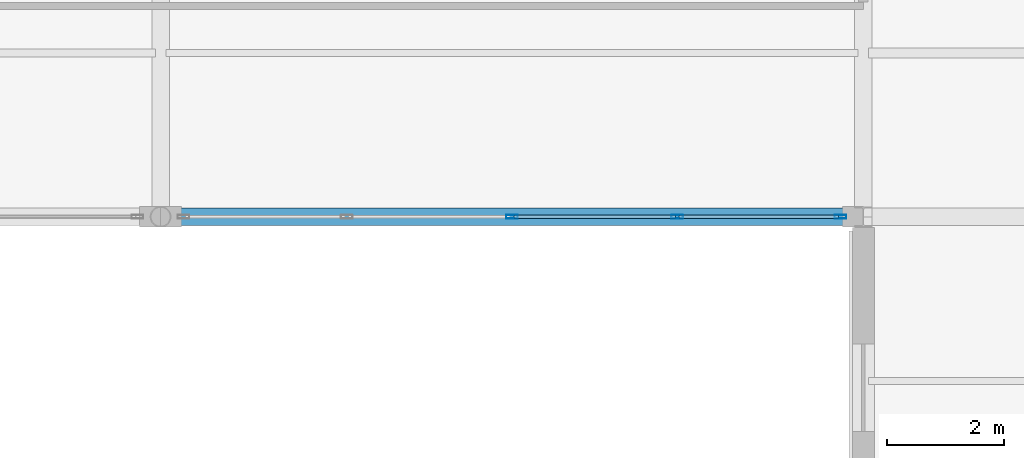
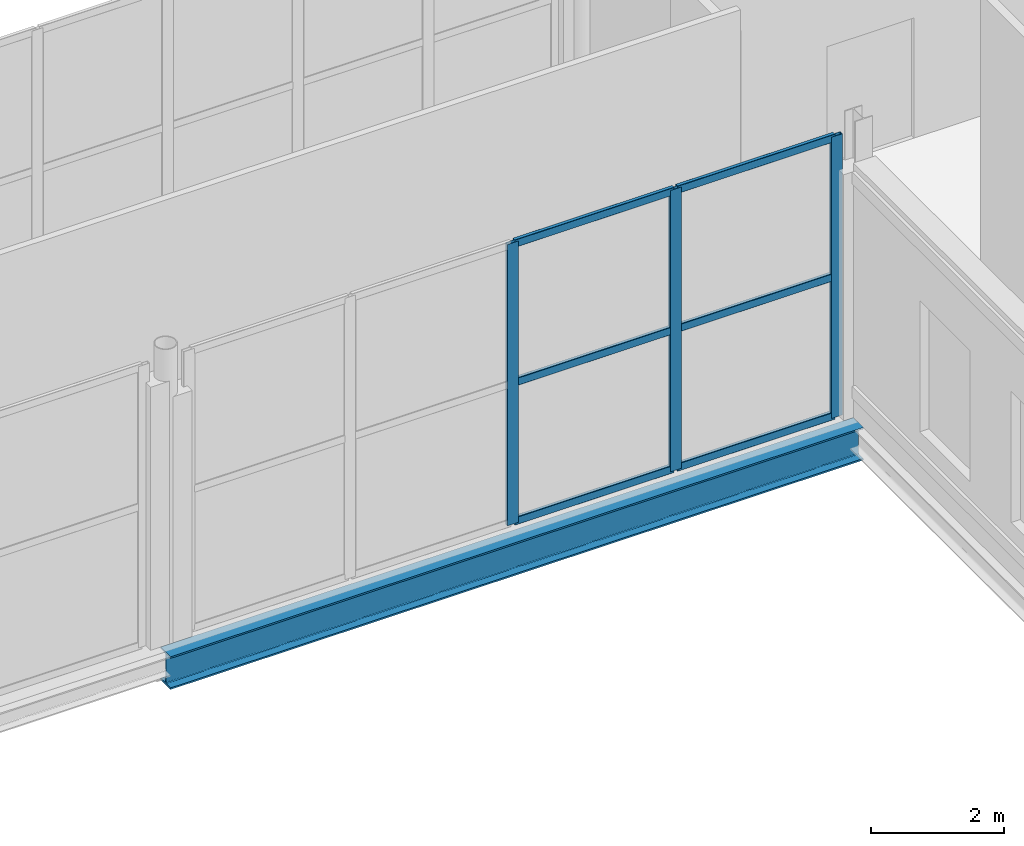
# One storey, part 90 of 147: 9 members, 1 beam, 1 element without a shape of its own.
"""IFC4 building model written with IfcOpenShell, lengths in metres."""

from ifc_helpers import new_model, si_unit, direction, frame, origin, origin_2d, place, context, subcontext, project, spatial, hollow_rectangle, i_section, extrude, material, layer, layer_set, material_profile, profile_set, type_object, element, aggregate, save


model = new_model("IFC4")

# Units and contexts
model_context = context("Model", 3, precision=1e-05, world=origin(), true_north=direction((0.0, 1.0)))
body_context = subcontext(model_context, "Body", "Model", "MODEL_VIEW")
ifc_project = project(units=[si_unit("LENGTHUNIT", "METRE"), si_unit("AREAUNIT", "SQUARE_METRE"), si_unit("VOLUMEUNIT", "CUBIC_METRE"), si_unit("PLANEANGLEUNIT", "RADIAN"), si_unit("MASSUNIT", "GRAM", prefix="KILO")], contexts=[model_context])

# Site, building, storey
site_placement = place(None, origin())
site = spatial("IfcSite", under=ifc_project, at=site_placement, CompositionType="ELEMENT")
building_placement = place(site_placement, origin())
building = spatial("IfcBuilding", under=site, at=building_placement, Name="Vekula Escarpment Museum", CompositionType="ELEMENT")
storey_placement = place(building_placement, frame((0.0, 0.0, 7.800048828125)))
storey = spatial("IfcBuildingStorey", under=building, at=storey_placement, Name="L02", CompositionType="ELEMENT", Elevation=7.800048828125)

# Beam
ifc_material_1 = material(Name="Steel S355", Category="steel")
ifc_material_profile_1 = material_profile(ifc_material_1, i_section(OverallWidth=0.300048828125, OverallDepth=0.60009765625, WebThickness=0.015380859375, FlangeThickness=0.030029296875, FilletRadius=0.027099609375, at=origin_2d()), Name="HEB 600")
ifc_profile_set_1 = profile_set([ifc_material_profile_1], Name="Steel S355")
beam_type = type_object("IfcBeamType", Name="BM-GIRD-HEB600", PredefinedType="BEAM", material=ifc_profile_set_1)
beam_placement = place(storey_placement, frame((155.0, 68.0, -0.56005859375), z_axis=(1.0, 0.0, 0.0), x_axis=(0.0, 1.0, 0.0)))
element("IfcBeam", 1, at=beam_placement, inside=storey, type_object=beam_type, Name="Beam X L02 0904", PredefinedType="BEAM", context=body_context, shape_type="SweptSolid", body=[
    extrude(i_section(OverallWidth=0.300048828125, OverallDepth=0.60009765625, WebThickness=0.015380859375, FlangeThickness=0.030029296875, FilletRadius=0.027099609375, at=origin_2d()), origin(), (0.0, 0.0, 1.0), 12.0),
])

# Curtain wall, members
ifc_material_2 = material(Name="Aluminium thermally broken framing", Category="aluminium")
ifc_layer = layer(ifc_material_2, 0.139892578125)
ifc_layer_set = layer_set([ifc_layer], Name="Aluminium thermally broken framing")
curtain_wall_type = type_object("IfcCurtainWallType", Name="CW-SYS-06", PredefinedType="NOTDEFINED", material=ifc_layer_set)
curtain_wall_placement = place(storey_placement, origin())
curtain_wall = element("IfcCurtainWall", 2, at=curtain_wall_placement, inside=storey, type_object=curtain_wall_type, Name="Curtain Wall CW-L02-066", PredefinedType="NOTDEFINED")
ifc_material_3 = material(Name="Aluminium anodized mullion", Category="aluminium")
ifc_material_profile_2 = material_profile(ifc_material_3, hollow_rectangle(XDim=0.06494140625, YDim=0.199951171875, WallThickness=0.00390625, InnerFilletRadius=0.00390625, OuterFilletRadius=0.008056640625, at=origin_2d()), Name="ALU 200x65x4")
ifc_profile_set_2 = profile_set([ifc_material_profile_2], Name="Aluminium anodized mullion")
member_type_1 = type_object("IfcMemberType", Name="CW-MUL-200", PredefinedType="MULLION", material=ifc_profile_set_2)
member_1_placement = place(storey_placement, frame((161.0, 68.0, 0.0), z_axis=(0.0, 0.0, 1.0), x_axis=(0.0, 1.0, 0.0)))
member_1 = element("IfcMember", 3, at=member_1_placement, type_object=member_type_1, Name="CW-06 mullion 3", PredefinedType="MULLION", context=body_context, shape_type="SweptSolid", body=[
    extrude(hollow_rectangle(XDim=0.06494140625, YDim=0.199951171875, WallThickness=0.00390625, InnerFilletRadius=0.00390625, OuterFilletRadius=0.008056640625, at=origin_2d()), origin(), (0.0, 0.0, 1.0), 5.14990234375),
])
member_2_placement = place(storey_placement, frame((163.820068359375, 68.0, 0.0), z_axis=(0.0, 0.0, 1.0), x_axis=(0.0, 1.0, 0.0)))
member_2 = element("IfcMember", 4, at=member_2_placement, type_object=member_type_1, Name="CW-06 mullion 4", PredefinedType="MULLION", context=body_context, shape_type="SweptSolid", body=[
    extrude(hollow_rectangle(XDim=0.06494140625, YDim=0.199951171875, WallThickness=0.00390625, InnerFilletRadius=0.00390625, OuterFilletRadius=0.008056640625, at=origin_2d()), origin(), (0.0, 0.0, 1.0), 5.14990234375),
])
member_3_placement = place(storey_placement, frame((166.607421875, 68.0, 0.0), z_axis=(0.0, 0.0, 1.0), x_axis=(0.0, 1.0, 0.0)))
member_3 = element("IfcMember", 5, at=member_3_placement, type_object=member_type_1, Name="CW-06 mullion 5", PredefinedType="MULLION", context=body_context, shape_type="SweptSolid", body=[
    extrude(hollow_rectangle(XDim=0.06494140625, YDim=0.199951171875, WallThickness=0.00390625, InnerFilletRadius=0.00390625, OuterFilletRadius=0.008056640625, at=origin_2d()), origin(), (0.0, 0.0, 1.0), 5.14990234375),
])
ifc_material_4 = material(Name="Aluminium anodized transom", Category="aluminium")
ifc_material_profile_3 = material_profile(ifc_material_4, hollow_rectangle(XDim=0.06494140625, YDim=0.139892578125, WallThickness=0.00390625, InnerFilletRadius=0.00390625, OuterFilletRadius=0.008056640625, at=origin_2d()), Name="ALU 140x65x4")
ifc_profile_set_3 = profile_set([ifc_material_profile_3], Name="Aluminium anodized transom")
member_type_2 = type_object("IfcMemberType", Name="CW-TRN-140", PredefinedType="USERDEFINED", material=ifc_profile_set_3)
member_4_placement = place(storey_placement, frame((161.032470703125, 68.0, 0.032470703125), z_axis=(1.0, 0.0, 0.0), x_axis=(0.0, 1.0, 0.0)))
member_4 = element("IfcMember", 6, at=member_4_placement, type_object=member_type_2, Name="CW-06 transom 3.1", ObjectType="TRANSOM", PredefinedType="USERDEFINED", context=body_context, shape_type="SweptSolid", body=[
    extrude(hollow_rectangle(XDim=0.06494140625, YDim=0.139892578125, WallThickness=0.00390625, InnerFilletRadius=0.00390625, OuterFilletRadius=0.008056640625, at=origin_2d()), origin(), (0.0, 0.0, 1.0), 2.755126953125),
])
member_5_placement = place(storey_placement, frame((161.032470703125, 68.0, 2.574951171875), z_axis=(1.0, 0.0, 0.0), x_axis=(0.0, 1.0, 0.0)))
member_5 = element("IfcMember", 7, at=member_5_placement, type_object=member_type_2, Name="CW-06 transom 3.2", ObjectType="TRANSOM", PredefinedType="USERDEFINED", context=body_context, shape_type="SweptSolid", body=[
    extrude(hollow_rectangle(XDim=0.06494140625, YDim=0.139892578125, WallThickness=0.00390625, InnerFilletRadius=0.00390625, OuterFilletRadius=0.008056640625, at=origin_2d()), origin(), (0.0, 0.0, 1.0), 2.755126953125),
])
member_6_placement = place(storey_placement, frame((161.032470703125, 68.0, 5.117431640625), z_axis=(1.0, 0.0, 0.0), x_axis=(0.0, 1.0, 0.0)))
member_6 = element("IfcMember", 8, at=member_6_placement, type_object=member_type_2, Name="CW-06 transom 3.3", ObjectType="TRANSOM", PredefinedType="USERDEFINED", context=body_context, shape_type="SweptSolid", body=[
    extrude(hollow_rectangle(XDim=0.06494140625, YDim=0.139892578125, WallThickness=0.00390625, InnerFilletRadius=0.00390625, OuterFilletRadius=0.008056640625, at=origin_2d()), origin(), (0.0, 0.0, 1.0), 2.755126953125),
])
member_7_placement = place(storey_placement, frame((163.8525390625, 68.0, 0.032470703125), z_axis=(1.0, 0.0, 0.0), x_axis=(0.0, 1.0, 0.0)))
member_7 = element("IfcMember", 9, at=member_7_placement, type_object=member_type_2, Name="CW-06 transom 4.1", ObjectType="TRANSOM", PredefinedType="USERDEFINED", context=body_context, shape_type="SweptSolid", body=[
    extrude(hollow_rectangle(XDim=0.06494140625, YDim=0.139892578125, WallThickness=0.00390625, InnerFilletRadius=0.00390625, OuterFilletRadius=0.008056640625, at=origin_2d()), origin(), (0.0, 0.0, 1.0), 2.722412109375),
])
member_8_placement = place(storey_placement, frame((163.8525390625, 68.0, 2.574951171875), z_axis=(1.0, 0.0, 0.0), x_axis=(0.0, 1.0, 0.0)))
member_8 = element("IfcMember", 10, at=member_8_placement, type_object=member_type_2, Name="CW-06 transom 4.2", ObjectType="TRANSOM", PredefinedType="USERDEFINED", context=body_context, shape_type="SweptSolid", body=[
    extrude(hollow_rectangle(XDim=0.06494140625, YDim=0.139892578125, WallThickness=0.00390625, InnerFilletRadius=0.00390625, OuterFilletRadius=0.008056640625, at=origin_2d()), origin(), (0.0, 0.0, 1.0), 2.722412109375),
])
member_9_placement = place(storey_placement, frame((163.8525390625, 68.0, 5.117431640625), z_axis=(1.0, 0.0, 0.0), x_axis=(0.0, 1.0, 0.0)))
member_9 = element("IfcMember", 11, at=member_9_placement, type_object=member_type_2, Name="CW-06 transom 4.3", ObjectType="TRANSOM", PredefinedType="USERDEFINED", context=body_context, shape_type="SweptSolid", body=[
    extrude(hollow_rectangle(XDim=0.06494140625, YDim=0.139892578125, WallThickness=0.00390625, InnerFilletRadius=0.00390625, OuterFilletRadius=0.008056640625, at=origin_2d()), origin(), (0.0, 0.0, 1.0), 2.722412109375),
])
aggregate(curtain_wall, [member_1, member_2, member_3, member_4, member_5, member_6, member_7, member_8, member_9])

save(model, "model.ifc")
